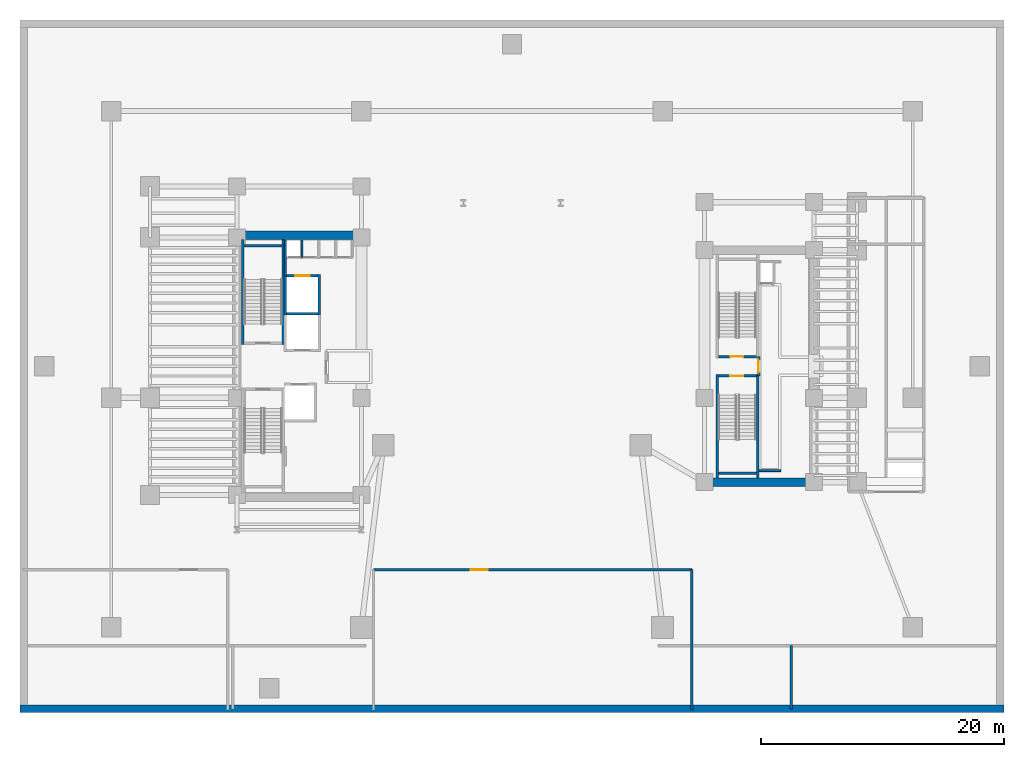
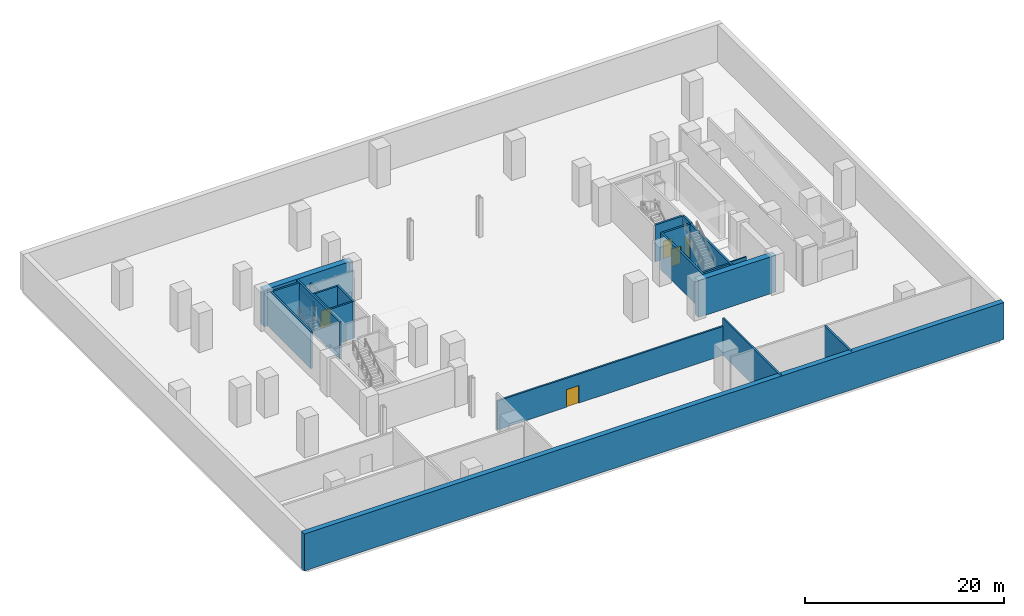
# One storey, part 4 of 10: 22 walls, 5 doors, 5 openings.
"""IFC4 building model written with IfcOpenShell, lengths in metres."""

import ifcopenshell
import ifcopenshell.guid

model = None  # the IFC model being written
_history = None  # IfcOwnerHistory: only IFC2X3 demands one
_inside = {}  # id of a spatial element -> (the spatial element, [elements in it])
_under = {}  # id of a project, library or spatial element -> (it, [spatial elements below it])
_declared = {}  # id of a project -> (the project, [libraries it declares])
_typed = {}  # id of a type object -> (the type object, [elements of that type])
_made_of = {}  # id of a material, layer set ... -> (it, [elements and type objects made of it])


def new_model(schema):
    """Start an empty IFC model of exactly this schema.

    Asked for "IFC4X3", IfcOpenShell would pick the latest addendum, in which some entities
    have other attributes; the version numbers below select the first issue.
    IFC2X3 requires an IfcOwnerHistory on every rooted entity: one is made here for all.
    """
    global model, _history
    if schema == "IFC4X3":
        model = ifcopenshell.file(schema_version=(4, 3, 0, 0))
    else:
        model = ifcopenshell.file(schema=schema)
    _inside.clear()
    _under.clear()
    _declared.clear()
    _typed.clear()
    _made_of.clear()
    _history = None
    if model.schema == "IFC2X3":
        org = make("IfcOrganization", Name="unknown")
        user = make(
            "IfcPersonAndOrganization",
            ThePerson=make("IfcPerson", FamilyName="unknown"),
            TheOrganization=org,
        )
        app = make(
            "IfcApplication",
            ApplicationDeveloper=org,
            Version="unknown",
            ApplicationFullName="unknown",
            ApplicationIdentifier="unknown",
        )
        _history = make(
            "IfcOwnerHistory",
            OwningUser=user,
            OwningApplication=app,
            ChangeAction="ADDED",
            CreationDate=0,
        )
    return model


def make(cls, **values):
    """One entity of the class cls with the attributes given. An attribute that is None is left unset."""
    return model.create_entity(
        cls, **{name: value for name, value in values.items() if value is not None}
    )


def rooted(cls, **values):
    """An entity with a GlobalId (a new one), such as an element, a storey or a relation."""
    return make(cls, GlobalId=ifcopenshell.guid.new(), OwnerHistory=_history, **values)


def si_unit(unit_type, name, prefix=None):
    """IfcSIUnit, for example si_unit("LENGTHUNIT", "METRE", prefix="MILLI")."""
    return make("IfcSIUnit", UnitType=unit_type, Prefix=prefix, Name=name)


def assignment(units):
    """IfcUnitAssignment: the units of a project."""
    return None if units is None else make("IfcUnitAssignment", Units=units)


def point(xyz):
    """IfcCartesianPoint."""
    return None if xyz is None else make("IfcCartesianPoint", Coordinates=xyz)


def direction(xyz):
    """IfcDirection."""
    return None if xyz is None else make("IfcDirection", DirectionRatios=xyz)


def frame(location, z_axis=None, x_axis=None):
    """IfcAxis2Placement3D, a coordinate frame: its origin and axes. An axis left out is left unset."""
    return make(
        "IfcAxis2Placement3D",
        Location=point(location),
        Axis=direction(z_axis),
        RefDirection=direction(x_axis),
    )


def frame_2d(location, x_axis=None):
    """IfcAxis2Placement2D, a coordinate frame in the plane: its origin and x axis."""
    return make(
        "IfcAxis2Placement2D", Location=point(location), RefDirection=direction(x_axis)
    )


def origin():
    """The frame at (0, 0, 0) with its axes left unset."""
    return frame((0.0, 0.0, 0.0))


def place(relative_to, where):
    """IfcLocalPlacement: puts the frame where relative to a parent placement (None: the world)."""
    return make(
        "IfcLocalPlacement", PlacementRelTo=relative_to, RelativePlacement=where
    )


def context(
    kind, dimensions, precision=None, world=None, true_north=None, identifier=None
):
    """IfcGeometricRepresentationContext, for example the 3D "Model" context."""
    return make(
        "IfcGeometricRepresentationContext",
        ContextIdentifier=identifier,
        ContextType=kind,
        CoordinateSpaceDimension=dimensions,
        Precision=precision,
        WorldCoordinateSystem=world,
        TrueNorth=true_north,
    )


def subcontext(parent, identifier, kind, view, scale=None):
    """IfcGeometricRepresentationSubContext, for example "Body" below "Model"."""
    return make(
        "IfcGeometricRepresentationSubContext",
        ContextIdentifier=identifier,
        ContextType=kind,
        ParentContext=parent,
        TargetScale=scale,
        TargetView=view,
    )


def project(units=None, contexts=None):
    """IfcProject with its units and contexts."""
    return rooted(
        "IfcProject",
        Name="project",
        RepresentationContexts=contexts,
        UnitsInContext=assignment(units),
    )


def spatial(cls, under=None, at=None, **own):
    """A site, building, storey or space (cls), placed at a placement, below another one or the project."""
    s = rooted(cls, ObjectPlacement=at, **own)
    if under is not None:
        _under.setdefault(under.id(), (under, []))[1].append(s)
    return s


def profile(cls, at=None, kind="AREA", **sizes):
    """A parametric profile (cls). Its sizes go by their IFC names, for example OverallWidth=200.0."""
    return make(cls, ProfileType=kind, Position=at, **sizes)


def rectangle(**sizes):
    """IfcRectangleProfileDef."""
    return profile("IfcRectangleProfileDef", **sizes)


def extrude(swept, where, along, depth):
    """IfcExtrudedAreaSolid: the profile swept, set in the frame where, extruded along a direction by depth."""
    return make(
        "IfcExtrudedAreaSolid",
        SweptArea=swept,
        Position=where,
        ExtrudedDirection=direction(along),
        Depth=depth,
    )


def shape(context_of_items, identifier, shape_type, items):
    """IfcShapeRepresentation: the items that make up one representation, for example the "Body"."""
    return make(
        "IfcShapeRepresentation",
        ContextOfItems=context_of_items,
        RepresentationIdentifier=identifier,
        RepresentationType=shape_type,
        Items=items,
    )


def material(Name=None, Category=None):
    """IfcMaterial."""
    return make("IfcMaterial", Name=Name, Category=Category)


def layer(
    of_material, thickness, ventilated=None, Name=None, Category=None, Priority=None
):
    """IfcMaterialLayer: one layer of a wall or slab, of a material (None: an air gap)."""
    return make(
        "IfcMaterialLayer",
        Material=of_material,
        LayerThickness=thickness,
        IsVentilated=ventilated,
        Name=Name,
        Category=Category,
        Priority=Priority,
    )


def layer_set(layers, Name=None):
    """IfcMaterialLayerSet."""
    return make("IfcMaterialLayerSet", MaterialLayers=layers, LayerSetName=Name)


def made_of(thing, what):
    """Note that an element or type object is made of a material, layer set ...; save() writes the relation."""
    if what is not None:
        _made_of.setdefault(what.id(), (what, []))[1].append(thing)
    return thing


def type_object(cls, material=None, **own):
    """A type object (cls), such as IfcWallType, which elements share."""
    return made_of(rooted(cls, **own), material)


def element(
    cls,
    number,
    at=None,
    inside=None,
    cuts=None,
    type_object=None,
    material=None,
    context=None,
    identifier="Body",
    shape_type=None,
    held_by="IfcProductDefinitionShape",
    body=None,
    shapes=None,
    **own,
):
    """One element of the class cls, such as IfcWall. Its Tag is "e" and its number.

    at: its placement. inside: the storey or other place that contains it. cuts: it is an
    opening in that element (IfcRelVoidsElement). A single representation is given by context,
    identifier, shape_type and body (its items); several are given by shapes. held_by: the class
    of the entity that holds the representations. save() writes the other relations.
    """
    e = rooted(cls, Tag="e%d" % number, ObjectPlacement=at, **own)
    if body is not None:
        shapes = [shape(context, identifier, shape_type, body)]
    if shapes is not None:
        e.Representation = make(held_by, Representations=shapes)
    if inside is not None:
        _inside.setdefault(inside.id(), (inside, []))[1].append(e)
    if cuts is not None:
        rooted(
            "IfcRelVoidsElement", RelatingBuildingElement=cuts, RelatedOpeningElement=e
        )
    if type_object is not None:
        _typed.setdefault(type_object.id(), (type_object, []))[1].append(e)
    return made_of(e, material)


def fill(opening, filler):
    """IfcRelFillsElement: the door or window that sits in an opening."""
    return rooted(
        "IfcRelFillsElement",
        RelatingOpeningElement=opening,
        RelatedBuildingElement=filler,
    )


def aggregate(whole, parts):
    """IfcRelAggregates: a whole, such as a stair, and the parts it consists of."""
    return rooted("IfcRelAggregates", RelatingObject=whole, RelatedObjects=parts)


def save(model, path):
    """Write the relations noted so far, then the file.

    IfcRelAggregates (storeys below a building ...), IfcRelContainedInSpatialStructure (elements
    in a storey), IfcRelDefinesByType, IfcRelAssociatesMaterial and IfcRelDeclares: one each for
    every whole, place, type object, material and project.
    """
    for whole, parts in _under.values():
        aggregate(whole, parts)
    for where, things in _inside.values():
        rooted(
            "IfcRelContainedInSpatialStructure",
            RelatedElements=things,
            RelatingStructure=where,
        )
    for kind, things in _typed.values():
        rooted("IfcRelDefinesByType", RelatedObjects=things, RelatingType=kind)
    for what, things in _made_of.values():
        rooted("IfcRelAssociatesMaterial", RelatedObjects=things, RelatingMaterial=what)
    for by, libraries in _declared.values():
        rooted("IfcRelDeclares", RelatingContext=by, RelatedDefinitions=libraries)
    model.write(path)


model = new_model("IFC4")

# Units and contexts
model_context = context("Model", 3, precision=1e-05, world=origin(), true_north=direction((0.0, 1.0)))
body_context = subcontext(model_context, "Body", "Model", "MODEL_VIEW")
ifc_project = project(units=[si_unit("LENGTHUNIT", "METRE"), si_unit("AREAUNIT", "SQUARE_METRE"), si_unit("VOLUMEUNIT", "CUBIC_METRE"), si_unit("PLANEANGLEUNIT", "RADIAN"), si_unit("MASSUNIT", "GRAM", prefix="KILO")], contexts=[model_context])

# Site, building, storey
site_placement = place(None, origin())
site = spatial("IfcSite", under=ifc_project, at=site_placement, CompositionType="ELEMENT")
building_placement = place(site_placement, origin())
building = spatial("IfcBuilding", under=site, at=building_placement, Name="Valdorenza Pilgrim Sanctuary Tower", CompositionType="ELEMENT")
storey_placement = place(building_placement, frame((0.0, 0.0, -4.800048828125)))
storey = spatial("IfcBuildingStorey", under=building, at=storey_placement, Name="B01", CompositionType="ELEMENT", Elevation=-4.800048828125)

# Walls
ifc_material_1 = material(Name="Acoustic twin-stud gypsum partition", Category="gypsum")
ifc_layer_1 = layer(ifc_material_1, 0.159912109375, Name="Acoustic twin-stud gypsum partition")
ifc_layer_set_1 = layer_set([ifc_layer_1], Name="Acoustic twin-stud gypsum partition")
wall_type_1 = type_object("IfcWallType", Name="WAL-COR-160", PredefinedType="PARTITIONING", material=ifc_layer_set_1)
wall_1_placement = place(storey_placement, frame((-18.64990234375, 7.449951171875, 0.0), z_axis=(0.0, 0.0, 1.0), x_axis=(0.0, 1.0, 0.0)))
element("IfcWall", 1, at=wall_1_placement, inside=storey, type_object=wall_type_1, Name="B01 Core A North Service West Wall", PredefinedType="PARTITIONING", context=body_context, shape_type="SweptSolid", body=[
    extrude(rectangle(XDim=2.929931640625, YDim=0.159912109375, at=frame_2d((1.46484375, 0.0))), origin(), (0.0, 0.0, 1.0), 3.55712890625),
])
wall_2_placement = place(storey_placement, frame((-17.300048828125, 8.949951171875, 0.0), z_axis=(0.0, 0.0, 1.0), x_axis=(0.0, 1.0, 0.0)))
element("IfcWall", 2, at=wall_2_placement, inside=storey, type_object=wall_type_1, Name="B01 Core Electrical Riser Wall", PredefinedType="PARTITIONING", context=body_context, shape_type="SweptSolid", body=[
    extrude(rectangle(XDim=1.429931640625, YDim=0.159912109375, at=frame_2d((0.71484375, 0.0))), origin(), (0.0, 0.0, 1.0), 3.55712890625),
])
wall_3_placement = place(storey_placement, frame((20.300048828125, -8.60009765625, 0.0), z_axis=(0.0, 0.0, 1.0), x_axis=(1.0, 0.0, 0.0)))
element("IfcWall", 3, at=wall_3_placement, inside=storey, type_object=wall_type_1, Name="B01 Core B Lift Hall South End Wall", PredefinedType="PARTITIONING", context=body_context, shape_type="SweptSolid", body=[
    extrude(rectangle(XDim=1.820068359375, YDim=0.159912109375, at=frame_2d((0.91015625, 0.0))), origin(), (0.0, 0.0, 1.0), 4.52001953125),
])
ifc_material_2 = material(Name="Concrete C60/75", Category="concrete")
ifc_layer_2 = layer(ifc_material_2, 0.699951171875, Name="Concrete C60/75")
ifc_layer_set_2 = layer_set([ifc_layer_2], Name="Concrete C60/75")
wall_type_2 = type_object("IfcWallType", Name="WAL-COR-700", PredefinedType="SHEAR", material=ifc_layer_set_2)
wall_4_placement = place(storey_placement, frame((-22.64990234375, 10.800048828125, 0.0), z_axis=(0.0, 0.0, 1.0), x_axis=(1.0, 0.0, 0.0)))
element("IfcWall", 4, at=wall_4_placement, inside=storey, type_object=wall_type_2, Name="B01 Split Core A Shear Wall N", PredefinedType="SHEAR", context=body_context, shape_type="SweptSolid", body=[
    extrude(rectangle(XDim=10.25, YDim=0.699951171875, at=frame_2d((5.125, 0.0))), origin(), (0.0, 0.0, 1.0), 4.52001953125),
])
wall_5_placement = place(storey_placement, frame((15.85009765625, -9.550048828125, 0.0), z_axis=(0.0, 0.0, 1.0), x_axis=(1.0, 0.0, 0.0)))
element("IfcWall", 5, at=wall_5_placement, inside=storey, type_object=wall_type_2, Name="B01 Split Core B Shear Wall S", PredefinedType="SHEAR", context=body_context, shape_type="SweptSolid", body=[
    extrude(rectangle(XDim=9.0, YDim=0.699951171875, at=frame_2d((4.5, 0.0))), origin(), (0.0, 0.0, 1.0), 4.52001953125),
])

# Wall, opening, door
ifc_material_3 = material(Name="Gypsum shaftwall partition", Category="gypsum")
ifc_layer_3 = layer(ifc_material_3, 0.199951171875, Name="Gypsum shaftwall partition")
ifc_layer_set_3 = layer_set([ifc_layer_3], Name="Gypsum shaftwall partition")
wall_type_3 = type_object("IfcWallType", Name="WAL-FFL-200", PredefinedType="PARTITIONING", material=ifc_layer_set_3)
wall_6_placement = place(storey_placement, frame((20.300048828125, -0.820068359375, 0.0), z_axis=(0.0, 0.0, 1.0), x_axis=(0.0, 1.0, 0.0)))
wall_6 = element("IfcWall", 6, at=wall_6_placement, inside=storey, type_object=wall_type_3, Name="B01 Core B Firefighting Lobby East Wall", PredefinedType="PARTITIONING", context=body_context, shape_type="SweptSolid", body=[
    extrude(rectangle(XDim=1.64013671875, YDim=0.199951171875, at=frame_2d((0.820068359375, 0.0))), origin(), (0.0, 0.0, 1.0), 4.52001953125),
])
opening_1_placement = place(wall_6_placement, frame((0.294921875, 0.0, 0.0)))
opening_1 = element("IfcOpeningElement", 7, at=opening_1_placement, cuts=wall_6, Name="Opening DR-FL1", PredefinedType="OPENING", context=body_context, shape_type="SweptSolid", body=[
    extrude(rectangle(XDim=1.050048828125, YDim=2.14990234375, at=frame_2d((0.52490234375, 1.074951171875))), frame((0.0, 0.11474609375, 0.0), z_axis=(0.0, -1.0, 0.0), x_axis=(1.0, 0.0, 0.0)), (0.0, 0.0, 1.0), 0.229736328125),
])
ifc_material_4 = material(Name="Painted galvanized steel", Category="steel")
door_type_1 = type_object("IfcDoorType", Name="DR-FFL-1050", OperationType="NOTDEFINED", PredefinedType="DOOR", material=ifc_material_4)
door_1_placement = place(opening_1_placement, frame((1.050048828125, 0.0, 0.0), z_axis=(0.0, 0.0, 1.0), x_axis=(-1.0, 0.0, 0.0)))
door_1 = element("IfcDoor", 8, at=door_1_placement, inside=storey, type_object=door_type_1, Name="B01 Core B Firefighting Lobby Door", OperationType="SINGLE_SWING_LEFT", OverallHeight=2.14990234375, OverallWidth=1.050048828125, PredefinedType="DOOR", context=body_context, shape_type="SweptSolid", body=[
    extrude(rectangle(XDim=1.050048828125, YDim=2.14990234375, at=frame_2d((0.52490234375, 1.074951171875))), frame((0.0, 0.02490234375, 0.0), z_axis=(0.0, -1.0, 0.0), x_axis=(1.0, 0.0, 0.0)), (0.0, 0.0, 1.0), 0.050048828125),
])
fill(opening_1, door_1)

wall_7_placement = place(storey_placement, frame((-11.39990234375, -16.75, 0.0), z_axis=(0.0, 0.0, 1.0), x_axis=(1.0, 0.0, 0.0)))
wall_7 = element("IfcWall", 9, at=wall_7_placement, inside=storey, type_object=wall_type_3, Name="B01 South-Central Plant Wall", PredefinedType="PARTITIONING", context=body_context, shape_type="SweptSolid", body=[
    extrude(rectangle(XDim=26.199951171875, YDim=0.199951171875, at=frame_2d((13.10009765625, 0.0))), origin(), (0.0, 0.0, 1.0), 3.55712890625),
])
opening_2_placement = place(wall_7_placement, frame((8.0, 0.0, 0.0)))
opening_2 = element("IfcOpeningElement", 10, at=opening_2_placement, cuts=wall_7, Name="Opening DR-PL1", PredefinedType="OPENING", context=body_context, shape_type="SweptSolid", body=[
    extrude(rectangle(XDim=1.39990234375, YDim=2.14990234375, at=frame_2d((0.699951171875, 1.074951171875))), frame((0.0, 0.11474609375, 0.0), z_axis=(0.0, -1.0, 0.0), x_axis=(1.0, 0.0, 0.0)), (0.0, 0.0, 1.0), 0.229736328125),
])
door_type_2 = type_object("IfcDoorType", Name="DR-PLT-1400", OperationType="NOTDEFINED", PredefinedType="DOOR", material=ifc_material_4)
door_2_placement = place(opening_2_placement, origin())
door_2 = element("IfcDoor", 11, at=door_2_placement, inside=storey, type_object=door_type_2, Name="B01 Central Plant Hall Door", OperationType="DOUBLE_DOOR_SINGLE_SWING", OverallHeight=2.14990234375, OverallWidth=1.39990234375, PredefinedType="DOOR", context=body_context, shape_type="SweptSolid", body=[
    extrude(rectangle(XDim=1.39990234375, YDim=2.14990234375, at=frame_2d((0.699951171875, 1.074951171875))), frame((0.0, 0.02490234375, 0.0), z_axis=(0.0, -1.0, 0.0), x_axis=(1.0, 0.0, 0.0)), (0.0, 0.0, 1.0), 0.050048828125),
])
fill(opening_2, door_2)

# Walls
wall_8_placement = place(storey_placement, frame((14.800048828125, -28.300048828125, 0.0), z_axis=(0.0, 0.0, 1.0), x_axis=(0.0, 1.0, 0.0)))
element("IfcWall", 12, at=wall_8_placement, inside=storey, type_object=wall_type_3, Name="B01 South-Central Plant East Wall", PredefinedType="PARTITIONING", context=body_context, shape_type="SweptSolid", body=[
    extrude(rectangle(XDim=11.550048828125, YDim=0.199951171875, at=frame_2d((5.77490234375, 0.0))), origin(), (0.0, 0.0, 1.0), 4.52001953125),
])
ifc_material_5 = material(Name="Concrete C50/60", Category="concrete")
ifc_layer_4 = layer(ifc_material_5, 0.60009765625, Name="Concrete C50/60")
ifc_layer_set_4 = layer_set([ifc_layer_4], Name="Concrete C50/60")
wall_type_4 = type_object("IfcWallType", Name="WAL-RET-600", PredefinedType="SOLIDWALL", material=ifc_layer_set_4)
wall_9_placement = place(storey_placement, frame((-40.5, -28.199951171875, 0.0), z_axis=(0.0, 0.0, 1.0), x_axis=(1.0, 0.0, 0.0)))
element("IfcWall", 13, at=wall_9_placement, inside=storey, type_object=wall_type_4, Name="B01 Basement Retaining Wall S", PredefinedType="SOLIDWALL", context=body_context, shape_type="SweptSolid", body=[
    extrude(rectangle(XDim=81.0, YDim=0.60009765625, at=frame_2d((40.5, 0.0))), origin(), (0.0, 0.0, 1.0), 4.52001953125),
])
ifc_material_6 = material(Name="Autoclaved aerated concrete blockwork", Category="masonry")
ifc_layer_5 = layer(ifc_material_6, 0.199951171875, Name="Autoclaved aerated concrete blockwork")
ifc_layer_set_5 = layer_set([ifc_layer_5], Name="Autoclaved aerated concrete blockwork")
wall_type_5 = type_object("IfcWallType", Name="WAL-SHF-200", PredefinedType="MOVABLE", material=ifc_layer_set_5)
wall_10_placement = place(storey_placement, frame((-18.550048828125, 4.324951171875, 0.0), z_axis=(0.0, 0.0, 1.0), x_axis=(1.0, 0.0, 0.0)))
element("IfcWall", 14, at=wall_10_placement, inside=storey, type_object=wall_type_5, Name="B01 Lift FFL-01 Hoistway Wall North", PredefinedType="MOVABLE", context=body_context, shape_type="SweptSolid", body=[
    extrude(rectangle(XDim=2.60009765625, YDim=0.199951171875, at=frame_2d((1.300048828125, 0.0))), origin(), (0.0, 0.0, 1.0), 4.52001953125),
])
for number, where, z_axis, x_axis, name in (
    (15, (-18.64990234375, 4.22509765625, 0.0), (0.0, 0.0, 1.0), (0.0, 1.0, 0.0), "B01 Lift SVL-01 Hoistway Wall West"),
    (16, (-15.85009765625, 4.22509765625, 0.0), (0.0, 0.0, 1.0), (0.0, 1.0, 0.0), "B01 Lift SVL-01 Hoistway Wall East"),
):
    element("IfcWall", number, at=place(storey_placement, frame(where, z_axis=z_axis, x_axis=x_axis)), inside=storey, type_object=wall_type_5, Name=name, PredefinedType="MOVABLE", context=body_context, shape_type="SweptSolid", body=[
        extrude(rectangle(XDim=3.324951171875, YDim=0.199951171875, at=frame_2d((1.66259765625, 0.0))), origin(), (0.0, 0.0, 1.0), 4.52001953125),
    ])

# Wall, opening, door
wall_11_placement = place(storey_placement, frame((-18.550048828125, 7.449951171875, 0.0), z_axis=(0.0, 0.0, 1.0), x_axis=(1.0, 0.0, 0.0)))
wall_11 = element("IfcWall", 17, at=wall_11_placement, inside=storey, type_object=wall_type_5, Name="B01 Lift SVL-01 Hoistway Wall North", PredefinedType="MOVABLE", context=body_context, shape_type="SweptSolid", body=[
    extrude(rectangle(XDim=2.60009765625, YDim=0.199951171875, at=frame_2d((1.300048828125, 0.0))), origin(), (0.0, 0.0, 1.0), 4.52001953125),
])
opening_3_placement = place(wall_11_placement, frame((0.699951171875, 0.0, 0.0)))
opening_3 = element("IfcOpeningElement", 18, at=opening_3_placement, cuts=wall_11, Name="Opening LD-02", PredefinedType="OPENING", context=body_context, shape_type="SweptSolid", body=[
    extrude(rectangle(XDim=1.199951171875, YDim=2.10009765625, at=frame_2d((0.60009765625, 1.050048828125))), frame((0.0, 0.11474609375, 0.0), z_axis=(0.0, -1.0, 0.0), x_axis=(1.0, 0.0, 0.0)), (0.0, 0.0, 1.0), 0.229736328125),
])
ifc_material_7 = material(Name="Brushed stainless steel Grade 316", Category="steel")
door_type_3 = type_object("IfcDoorType", Name="DR-LFT-1200", OperationType="DOUBLE_DOOR_SLIDING", PredefinedType="DOOR", material=ifc_material_7)
door_3_placement = place(opening_3_placement, origin())
door_3 = element("IfcDoor", 19, at=door_3_placement, inside=storey, type_object=door_type_3, Name="B01 Lift SVL-01 Sliding Landing Door", OperationType="DOUBLE_DOOR_SLIDING", OverallHeight=2.10009765625, OverallWidth=1.199951171875, PredefinedType="DOOR", context=body_context, shape_type="SweptSolid", body=[
    extrude(rectangle(XDim=1.199951171875, YDim=2.10009765625, at=frame_2d((0.60009765625, 1.050048828125))), frame((0.0, 0.02490234375, 0.0), z_axis=(0.0, -1.0, 0.0), x_axis=(1.0, 0.0, 0.0)), (0.0, 0.0, 1.0), 0.050048828125),
])
fill(opening_3, door_3)

# Walls
ifc_material_8 = material(Name="Concrete C40/50", Category="concrete")
ifc_layer_6 = layer(ifc_material_8, 0.219970703125, Name="Concrete C40/50")
ifc_layer_set_6 = layer_set([ifc_layer_6], Name="Concrete C40/50")
wall_type_6 = type_object("IfcWallType", Name="WAL-STR-SHF-220", PredefinedType="SHEAR", material=ifc_layer_set_6)
for number, where, z_axis, x_axis, name in (
    (20, (-22.159912109375, 1.780029296875, 0.0), (0.0, 0.0, 1.0), (0.0, 1.0, 0.0), "B01 ST-A1 Structural Stairwell Wall W"),
    (21, (-18.830078125, 1.780029296875, 0.0), (0.0, 0.0, 1.0), (0.0, 1.0, 0.0), "B01 ST-A1 Structural Stairwell Wall E"),
):
    element("IfcWall", number, at=place(storey_placement, frame(where, z_axis=z_axis, x_axis=x_axis)), inside=storey, type_object=wall_type_6, Name=name, PredefinedType="SHEAR", context=body_context, shape_type="SweptSolid", body=[
        extrude(rectangle(XDim=8.669921875, YDim=0.219970703125, at=frame_2d((4.3349609375, 0.0))), origin(), (0.0, 0.0, 1.0), 4.52001953125),
    ])
wall_12_placement = place(storey_placement, frame((-22.050048828125, 9.909912109375, 0.0), z_axis=(0.0, 0.0, 1.0), x_axis=(1.0, 0.0, 0.0)))
element("IfcWall", 22, at=wall_12_placement, inside=storey, type_object=wall_type_6, Name="B01 ST-A1 Structural Stairwell Wall N", PredefinedType="SHEAR", context=body_context, shape_type="SweptSolid", body=[
    extrude(rectangle(XDim=3.110107421875, YDim=0.219970703125, at=frame_2d((1.55517578125, 0.0))), origin(), (0.0, 0.0, 1.0), 4.52001953125),
])

# Wall, opening, door
wall_13_placement = place(storey_placement, frame((17.0, 0.7900390625, 0.0), z_axis=(0.0, 0.0, 1.0), x_axis=(1.0, 0.0, 0.0)))
wall_13 = element("IfcWall", 23, at=wall_13_placement, inside=storey, type_object=wall_type_6, Name="B01 ST-B1 Structural Stairwell Wall S", PredefinedType="SHEAR", context=body_context, shape_type="SweptSolid", body=[
    extrude(rectangle(XDim=3.110107421875, YDim=0.219970703125, at=frame_2d((1.55517578125, 0.0))), origin(), (0.0, 0.0, 1.0), 4.52001953125),
])
opening_4_placement = place(wall_13_placement, frame((0.949951171875, 0.0, 0.0)))
opening_4 = element("IfcOpeningElement", 24, at=opening_4_placement, cuts=wall_13, Name="Opening DR-ST1", PredefinedType="OPENING", context=body_context, shape_type="SweptSolid", body=[
    extrude(rectangle(XDim=1.10009765625, YDim=2.14990234375, at=frame_2d((0.550048828125, 1.074951171875))), frame((0.0, 0.125, 0.0), z_axis=(0.0, -1.0, 0.0), x_axis=(1.0, 0.0, 0.0)), (0.0, 0.0, 1.0), 0.249755859375),
])
door_type_4 = type_object("IfcDoorType", Name="DR-STAIR-1100", OperationType="NOTDEFINED", PredefinedType="DOOR", material=ifc_material_4)
door_4_placement = place(opening_4_placement, origin())
door_4 = element("IfcDoor", 25, at=door_4_placement, inside=storey, type_object=door_type_4, Name="B01 Exit Stair ST-B1 Door", OperationType="SINGLE_SWING_RIGHT", OverallHeight=2.14990234375, OverallWidth=1.10009765625, PredefinedType="DOOR", context=body_context, shape_type="SweptSolid", body=[
    extrude(rectangle(XDim=1.10009765625, YDim=2.14990234375, at=frame_2d((0.550048828125, 1.074951171875))), frame((0.0, 0.02490234375, 0.0), z_axis=(0.0, -1.0, 0.0), x_axis=(1.0, 0.0, 0.0)), (0.0, 0.0, 1.0), 0.050048828125),
])
fill(opening_4, door_4)

# Walls
for number, where, z_axis, x_axis, name in (
    (26, (16.889892578125, -9.199951171875, 0.0), (0.0, 0.0, 1.0), (0.0, 1.0, 0.0), "B01 ST-B2 Structural Stairwell Wall W"),
    (27, (20.219970703125, -9.199951171875, 0.0), (0.0, 0.0, 1.0), (0.0, 1.0, 0.0), "B01 ST-B2 Structural Stairwell Wall E"),
):
    element("IfcWall", number, at=place(storey_placement, frame(where, z_axis=z_axis, x_axis=x_axis)), inside=storey, type_object=wall_type_6, Name=name, PredefinedType="SHEAR", context=body_context, shape_type="SweptSolid", body=[
        extrude(rectangle(XDim=8.52001953125, YDim=0.219970703125, at=frame_2d((4.260009765625, 0.0))), origin(), (0.0, 0.0, 1.0), 4.52001953125),
    ])
wall_14_placement = place(storey_placement, frame((17.0, -8.81005859375, 0.0), z_axis=(0.0, 0.0, 1.0), x_axis=(1.0, 0.0, 0.0)))
element("IfcWall", 28, at=wall_14_placement, inside=storey, type_object=wall_type_6, Name="B01 ST-B2 Structural Stairwell Wall S", PredefinedType="SHEAR", context=body_context, shape_type="SweptSolid", body=[
    extrude(rectangle(XDim=3.110107421875, YDim=0.219970703125, at=frame_2d((1.55517578125, 0.0))), origin(), (0.0, 0.0, 1.0), 4.52001953125),
])

# Wall, opening, door
wall_15_placement = place(storey_placement, frame((17.0, -0.7900390625, 0.0), z_axis=(0.0, 0.0, 1.0), x_axis=(1.0, 0.0, 0.0)))
wall_15 = element("IfcWall", 29, at=wall_15_placement, inside=storey, type_object=wall_type_6, Name="B01 ST-B2 Structural Stairwell Wall N", PredefinedType="SHEAR", context=body_context, shape_type="SweptSolid", body=[
    extrude(rectangle(XDim=3.110107421875, YDim=0.219970703125, at=frame_2d((1.55517578125, 0.0))), origin(), (0.0, 0.0, 1.0), 4.52001953125),
])
opening_5_placement = place(wall_15_placement, frame((0.949951171875, 0.0, 0.0)))
opening_5 = element("IfcOpeningElement", 30, at=opening_5_placement, cuts=wall_15, Name="Opening DR-ST1", PredefinedType="OPENING", context=body_context, shape_type="SweptSolid", body=[
    extrude(rectangle(XDim=1.10009765625, YDim=2.14990234375, at=frame_2d((0.550048828125, 1.074951171875))), frame((0.0, 0.125, 0.0), z_axis=(0.0, -1.0, 0.0), x_axis=(1.0, 0.0, 0.0)), (0.0, 0.0, 1.0), 0.249755859375),
])
door_5_placement = place(opening_5_placement, frame((1.10009765625, 0.0, 0.0), z_axis=(0.0, 0.0, 1.0), x_axis=(-1.0, 0.0, 0.0)))
door_5 = element("IfcDoor", 31, at=door_5_placement, inside=storey, type_object=door_type_4, Name="B01 Exit Stair ST-B2 Door", OperationType="SINGLE_SWING_LEFT", OverallHeight=2.14990234375, OverallWidth=1.10009765625, PredefinedType="DOOR", context=body_context, shape_type="SweptSolid", body=[
    extrude(rectangle(XDim=1.10009765625, YDim=2.14990234375, at=frame_2d((0.550048828125, 1.074951171875))), frame((0.0, 0.02490234375, 0.0), z_axis=(0.0, -1.0, 0.0), x_axis=(1.0, 0.0, 0.0)), (0.0, 0.0, 1.0), 0.050048828125),
])
fill(opening_5, door_5)

# Wall
wall_16_placement = place(storey_placement, frame((23.0, -28.199951171875, 0.0), z_axis=(0.0, 0.0, 1.0), x_axis=(0.0, 1.0, 0.0)))
element("IfcWall", 32, at=wall_16_placement, inside=storey, type_object=wall_type_6, Name="B01 Forecourt Cross Bearing Wall SEX", PredefinedType="SHEAR", context=body_context, shape_type="SweptSolid", body=[
    extrude(rectangle(XDim=5.199951171875, YDim=0.219970703125, at=frame_2d((2.60009765625, 0.0))), origin(), (0.0, 0.0, 1.0), 4.52001953125),
])

save(model, "model.ifc")
